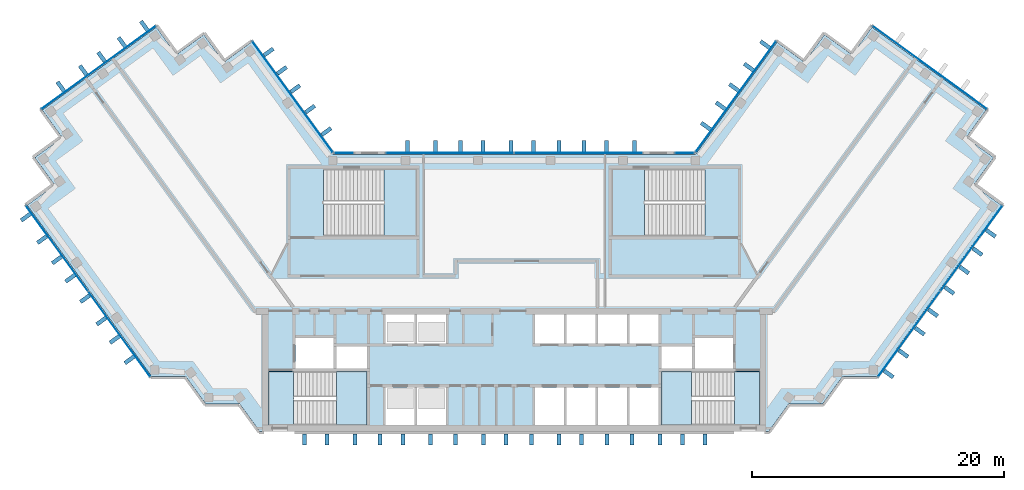
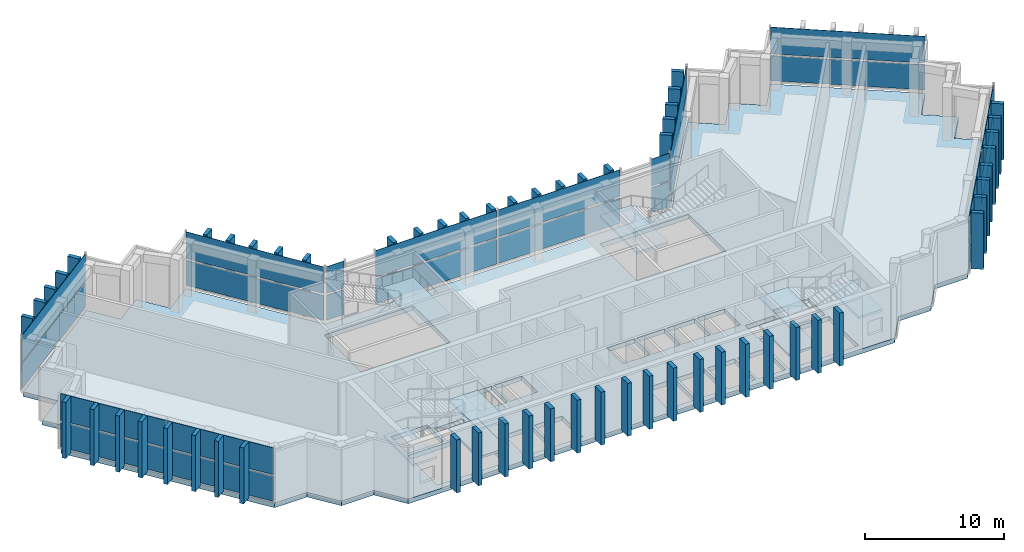
# One storey, part 6 of 14: 82 plates, 9 slabs, 13 elements without a shape of their own.
"""IFC4 building model written with IfcOpenShell, lengths in metres."""

from ifc_helpers import new_model, si_unit, direction, frame, origin, origin_2d, place, context, subcontext, project, spatial, polyline, rectangle, outline, extrude, material, layer, layer_set, type_object, element, aggregate, save


model = new_model("IFC4")

# Units and contexts
model_context = context("Model", 3, precision=1e-05, world=origin(), true_north=direction((0.0, 1.0)))
body_context = subcontext(model_context, "Body", "Model", "MODEL_VIEW")
ifc_project = project(units=[si_unit("LENGTHUNIT", "METRE"), si_unit("AREAUNIT", "SQUARE_METRE"), si_unit("VOLUMEUNIT", "CUBIC_METRE"), si_unit("PLANEANGLEUNIT", "RADIAN"), si_unit("MASSUNIT", "GRAM", prefix="KILO")], contexts=[model_context])

# Site, building, storey
site_placement = place(None, origin())
site = spatial("IfcSite", under=ifc_project, at=site_placement, CompositionType="ELEMENT")
building_placement = place(site_placement, origin())
building = spatial("IfcBuilding", under=site, at=building_placement, Name="Quipu Civic Tower", CompositionType="ELEMENT")
storey_placement = place(building_placement, frame((0.0, 0.0, 248.0)))
storey = spatial("IfcBuildingStorey", under=building, at=storey_placement, Name="L58", CompositionType="ELEMENT", Elevation=248.0)

# Slab
ifc_material_1 = material(Name="Concrete C40/50", Category="concrete")
ifc_layer_1 = layer(ifc_material_1, 0.39990234375)
ifc_layer_set_1 = layer_set([ifc_layer_1], Name="Concrete C40/50")
slab_type_1 = type_object("IfcSlabType", Name="Floor slab 400 C40/50", PredefinedType="FLOOR", material=ifc_layer_set_1)
slab_1_placement = place(storey_placement, frame((0.0, 0.0, -0.39990234375)))
element("IfcSlab", 1, at=slab_1_placement, inside=storey, type_object=slab_type_1, Name="Floor slab L58", PredefinedType="FLOOR", context=body_context, shape_type="SweptSolid", body=[
    extrude(outline(polyline([(20.860107421875, 19.89501953125), (23.0400390625, 18.31005859375), (24.6298828125, 20.4951171875), (26.81494140625, 18.905029296875), (28.39990234375, 21.090087890625), (37.4599609375, 14.5048828125), (35.875, 12.320068359375), (38.06005859375, 10.735107421875), (36.469970703125, 8.550048828125), (38.655029296875, 6.965087890625), (28.780029296875, -6.6298828125), (26.080078125, -6.6298828125), (24.489990234375, -8.81494140625), (21.7900390625, -8.81494140625), (20.205078125, -11.0), (-20.205078125, -11.0), (-21.7900390625, -8.81494140625), (-24.489990234375, -8.81494140625), (-26.080078125, -6.6298828125), (-28.780029296875, -6.6298828125), (-38.655029296875, 6.965087890625), (-36.469970703125, 8.550048828125), (-38.06005859375, 10.735107421875), (-35.875, 12.320068359375), (-37.4599609375, 14.5048828125), (-28.39990234375, 21.090087890625), (-26.81494140625, 18.905029296875), (-24.6298828125, 20.4951171875), (-23.0400390625, 18.31005859375), (-20.860107421875, 19.89501953125), (-14.39501953125, 11.0), (14.39501953125, 11.0), (20.860107421875, 19.89501953125)]), holes=[polyline([(-10.199951171875, -7.5), (-10.199951171875, -10.5), (-7.89990234375, -10.5), (-7.89990234375, -7.5), (-10.199951171875, -7.5)]), polyline([(-7.699951171875, -7.5), (-7.699951171875, -10.5), (-5.39990234375, -10.5), (-5.39990234375, -7.5), (-7.699951171875, -7.5)]), polyline([(1.64990234375, -7.5), (1.64990234375, -10.5), (3.949951171875, -10.5), (3.949951171875, -7.5), (1.64990234375, -7.5)]), polyline([(-11.705078125, -10.4951171875), (-11.705078125, -6.2548828125), (-17.4951171875, -6.2548828125), (-17.4951171875, -10.4951171875), (-11.705078125, -10.4951171875)]), polyline([(-11.699951171875, -4.25), (-14.10009765625, -4.25), (-14.10009765625, -6.0), (-11.699951171875, -6.0), (-11.699951171875, -4.25)]), polyline([(-17.35009765625, -3.60009765625), (-17.35009765625, -6.0), (-14.35009765625, -6.0), (-14.35009765625, -3.60009765625), (-17.35009765625, -3.60009765625)]), polyline([(-10.199951171875, -1.699951171875), (-10.199951171875, -4.0), (-7.89990234375, -4.0), (-7.89990234375, -1.699951171875), (-10.199951171875, -1.699951171875)]), polyline([(-7.699951171875, -1.699951171875), (-7.699951171875, -4.0), (-5.39990234375, -4.0), (-5.39990234375, -1.699951171875), (-7.699951171875, -1.699951171875)]), polyline([(3.949951171875, -1.699951171875), (1.64990234375, -1.699951171875), (1.64990234375, -4.0), (3.949951171875, -4.0), (3.949951171875, -1.699951171875)]), polyline([(-7.7548828125, 4.5048828125), (-7.7548828125, 9.844970703125), (-15.14501953125, 9.844970703125), (-15.14501953125, 4.5048828125), (-7.7548828125, 4.5048828125)]), polyline([(4.14990234375, -7.5), (4.14990234375, -10.5), (6.449951171875, -10.5), (6.449951171875, -7.5), (4.14990234375, -7.5)]), polyline([(6.64990234375, -7.5), (6.64990234375, -10.5), (8.949951171875, -10.5), (8.949951171875, -7.5), (6.64990234375, -7.5)]), polyline([(9.14990234375, -7.5), (9.14990234375, -10.5), (11.449951171875, -10.5), (11.449951171875, -7.5), (9.14990234375, -7.5)]), polyline([(11.705078125, -6.2548828125), (11.705078125, -10.4951171875), (17.4951171875, -10.4951171875), (17.4951171875, -6.2548828125), (11.705078125, -6.2548828125)]), polyline([(14.10009765625, -4.25), (11.699951171875, -4.25), (11.699951171875, -6.0), (14.10009765625, -6.0), (14.10009765625, -4.25)]), polyline([(14.35009765625, -3.60009765625), (14.35009765625, -6.0), (17.35009765625, -6.0), (17.35009765625, -3.60009765625), (14.35009765625, -3.60009765625)]), polyline([(4.14990234375, -1.699951171875), (4.14990234375, -4.0), (6.449951171875, -4.0), (6.449951171875, -1.699951171875), (4.14990234375, -1.699951171875)]), polyline([(6.64990234375, -1.699951171875), (6.64990234375, -4.0), (8.949951171875, -4.0), (8.949951171875, -1.699951171875), (6.64990234375, -1.699951171875)]), polyline([(11.449951171875, -1.699951171875), (9.14990234375, -1.699951171875), (9.14990234375, -4.0), (11.449951171875, -4.0), (11.449951171875, -1.699951171875)]), polyline([(7.7548828125, 9.844970703125), (7.7548828125, 4.5048828125), (15.14501953125, 4.5048828125), (15.14501953125, 9.844970703125), (7.7548828125, 9.844970703125)])]), origin(), (0.0, 0.0, 1.0), 0.39990234375),
])

# Curtain wall, plates
ifc_material_2 = material(Name="Insulated glass unit", Category="glass")
curtain_wall_type = type_object("IfcCurtainWallType", Name="Sky lobby and refuge curtain wall CW5", PredefinedType="NOTDEFINED", material=ifc_material_2)
curtain_wall_1_placement = place(storey_placement, origin())
curtain_wall_1 = element("IfcCurtainWall", 2, at=curtain_wall_1_placement, inside=storey, type_object=curtain_wall_type, Name="Sky lobby and refuge curtain wall CW5 L58 run 1", PredefinedType="NOTDEFINED")
ifc_material_3 = material(Name="Insulated glass unit", Category="glass")
ifc_layer_2 = layer(ifc_material_3, 0.035888671875)
ifc_layer_set_2 = layer_set([ifc_layer_2], Name="Insulated glass unit")
plate_type_1 = type_object("IfcPlateType", Name="Glass panel CW5", PredefinedType="CURTAIN_PANEL", material=ifc_layer_set_2)
plate_1_placement = place(storey_placement, frame((-17.590087890625, 15.5673828125, 0.22509765625), z_axis=(0.0, 0.0, 1.0), x_axis=(-0.587787771652, 0.809015163947, 0.0)))
plate_1 = element("IfcPlate", 3, at=plate_1_placement, type_object=plate_type_1, Name="CW5 panel 1.1", PredefinedType="CURTAIN_PANEL", context=body_context, shape_type="SweptSolid", body=[
    extrude(rectangle(XDim=10.82421875, YDim=0.035888671875, at=origin_2d()), origin(), (0.0, 0.0, 1.0), 2.199951171875),
])
plate_2_placement = place(storey_placement, frame((-17.590087890625, 15.5673828125, 2.574951171875), z_axis=(0.0, 0.0, 1.0), x_axis=(-0.587787771652, 0.809015163947, 0.0)))
plate_2 = element("IfcPlate", 4, at=plate_2_placement, type_object=plate_type_1, Name="CW5 panel 1.2", PredefinedType="CURTAIN_PANEL", context=body_context, shape_type="SweptSolid", body=[
    extrude(rectangle(XDim=10.82421875, YDim=0.035888671875, at=origin_2d()), origin(), (0.0, 0.0, 1.0), 2.35009765625),
])
aggregate(curtain_wall_1, [plate_1, plate_2])

curtain_wall_2_placement = place(storey_placement, origin())
curtain_wall_2 = element("IfcCurtainWall", 5, at=curtain_wall_2_placement, inside=storey, type_object=curtain_wall_type, Name="Sky lobby and refuge curtain wall CW5 L58 run 6", PredefinedType="NOTDEFINED")
plate_3_placement = place(storey_placement, frame((-32.989990234375, 17.87939453125, 0.22509765625), z_axis=(0.0, 0.0, 1.0), x_axis=(-0.809015176832, -0.587787753918, 0.0)))
plate_3 = element("IfcPlate", 6, at=plate_3_placement, type_object=plate_type_1, Name="CW5 panel 1.1", PredefinedType="CURTAIN_PANEL", context=body_context, shape_type="SweptSolid", body=[
    extrude(rectangle(XDim=11.179931640625, YDim=0.035888671875, at=origin_2d()), origin(), (0.0, 0.0, 1.0), 2.199951171875),
])
plate_4_placement = place(storey_placement, frame((-32.989990234375, 17.87939453125, 2.574951171875), z_axis=(0.0, 0.0, 1.0), x_axis=(-0.809015176832, -0.587787753918, 0.0)))
plate_4 = element("IfcPlate", 7, at=plate_4_placement, type_object=plate_type_1, Name="CW5 panel 1.2", PredefinedType="CURTAIN_PANEL", context=body_context, shape_type="SweptSolid", body=[
    extrude(rectangle(XDim=11.179931640625, YDim=0.035888671875, at=origin_2d()), origin(), (0.0, 0.0, 1.0), 2.35009765625),
])
aggregate(curtain_wall_2, [plate_3, plate_4])

curtain_wall_3_placement = place(storey_placement, origin())
curtain_wall_3 = element("IfcCurtainWall", 8, at=curtain_wall_3_placement, inside=storey, type_object=curtain_wall_type, Name="Sky lobby and refuge curtain wall CW5 L58 run 11", PredefinedType="NOTDEFINED")
plate_5_placement = place(storey_placement, frame((-36.288330078125, 3.534423828125, 0.22509765625), z_axis=(0.0, 0.0, 1.0), x_axis=(0.587786237643, -0.809016278475, 0.0)))
plate_5 = element("IfcPlate", 9, at=plate_5_placement, type_object=plate_type_1, Name="CW5 panel 1.1", PredefinedType="CURTAIN_PANEL", context=body_context, shape_type="SweptSolid", body=[
    extrude(rectangle(XDim=8.312744140625, YDim=0.035888671875, at=origin_2d()), origin(), (0.0, 0.0, 1.0), 2.199951171875),
])
plate_6_placement = place(storey_placement, frame((-36.288330078125, 3.534423828125, 2.574951171875), z_axis=(0.0, 0.0, 1.0), x_axis=(0.587786237643, -0.809016278475, 0.0)))
plate_6 = element("IfcPlate", 10, at=plate_6_placement, type_object=plate_type_1, Name="CW5 panel 1.2", PredefinedType="CURTAIN_PANEL", context=body_context, shape_type="SweptSolid", body=[
    extrude(rectangle(XDim=8.312744140625, YDim=0.035888671875, at=origin_2d()), origin(), (0.0, 0.0, 1.0), 2.35009765625),
])
plate_7_placement = place(storey_placement, frame((-31.337646484375, -3.27978515625, 0.22509765625), z_axis=(0.0, 0.0, 1.0), x_axis=(0.587786237643, -0.809016278475, 0.0)))
plate_7 = element("IfcPlate", 11, at=plate_7_placement, type_object=plate_type_1, Name="CW5 panel 2.1", PredefinedType="CURTAIN_PANEL", context=body_context, shape_type="SweptSolid", body=[
    extrude(rectangle(XDim=8.312744140625, YDim=0.035888671875, at=origin_2d()), origin(), (0.0, 0.0, 1.0), 2.199951171875),
])
plate_8_placement = place(storey_placement, frame((-31.337646484375, -3.27978515625, 2.574951171875), z_axis=(0.0, 0.0, 1.0), x_axis=(0.587786237643, -0.809016278475, 0.0)))
plate_8 = element("IfcPlate", 12, at=plate_8_placement, type_object=plate_type_1, Name="CW5 panel 2.2", PredefinedType="CURTAIN_PANEL", context=body_context, shape_type="SweptSolid", body=[
    extrude(rectangle(XDim=8.312744140625, YDim=0.035888671875, at=origin_2d()), origin(), (0.0, 0.0, 1.0), 2.35009765625),
])
aggregate(curtain_wall_3, [plate_5, plate_6, plate_7, plate_8])

curtain_wall_4_placement = place(storey_placement, origin())
curtain_wall_4 = element("IfcCurtainWall", 13, at=curtain_wall_4_placement, inside=storey, type_object=curtain_wall_type, Name="Sky lobby and refuge curtain wall CW5 L58 run 23", PredefinedType="NOTDEFINED")
plate_9_placement = place(storey_placement, frame((31.337646484375, -3.27978515625, 0.22509765625), z_axis=(0.0, 0.0, 1.0), x_axis=(0.587786237643, 0.809016278475, 0.0)))
plate_9 = element("IfcPlate", 14, at=plate_9_placement, type_object=plate_type_1, Name="CW5 panel 1.1", PredefinedType="CURTAIN_PANEL", context=body_context, shape_type="SweptSolid", body=[
    extrude(rectangle(XDim=8.312744140625, YDim=0.035888671875, at=origin_2d()), origin(), (0.0, 0.0, 1.0), 2.199951171875),
])
plate_10_placement = place(storey_placement, frame((31.337646484375, -3.27978515625, 2.574951171875), z_axis=(0.0, 0.0, 1.0), x_axis=(0.587786237643, 0.809016278475, 0.0)))
plate_10 = element("IfcPlate", 15, at=plate_10_placement, type_object=plate_type_1, Name="CW5 panel 1.2", PredefinedType="CURTAIN_PANEL", context=body_context, shape_type="SweptSolid", body=[
    extrude(rectangle(XDim=8.312744140625, YDim=0.035888671875, at=origin_2d()), origin(), (0.0, 0.0, 1.0), 2.35009765625),
])
plate_11_placement = place(storey_placement, frame((36.288330078125, 3.534423828125, 0.22509765625), z_axis=(0.0, 0.0, 1.0), x_axis=(0.587786237643, 0.809016278475, 0.0)))
plate_11 = element("IfcPlate", 16, at=plate_11_placement, type_object=plate_type_1, Name="CW5 panel 2.1", PredefinedType="CURTAIN_PANEL", context=body_context, shape_type="SweptSolid", body=[
    extrude(rectangle(XDim=8.312744140625, YDim=0.035888671875, at=origin_2d()), origin(), (0.0, 0.0, 1.0), 2.199951171875),
])
plate_12_placement = place(storey_placement, frame((36.288330078125, 3.534423828125, 2.574951171875), z_axis=(0.0, 0.0, 1.0), x_axis=(0.587786237643, 0.809016278475, 0.0)))
plate_12 = element("IfcPlate", 17, at=plate_12_placement, type_object=plate_type_1, Name="CW5 panel 2.2", PredefinedType="CURTAIN_PANEL", context=body_context, shape_type="SweptSolid", body=[
    extrude(rectangle(XDim=8.312744140625, YDim=0.035888671875, at=origin_2d()), origin(), (0.0, 0.0, 1.0), 2.35009765625),
])
aggregate(curtain_wall_4, [plate_9, plate_10, plate_11, plate_12])

curtain_wall_5_placement = place(storey_placement, origin())
curtain_wall_5 = element("IfcCurtainWall", 18, at=curtain_wall_5_placement, inside=storey, type_object=curtain_wall_type, Name="Sky lobby and refuge curtain wall CW5 L58 run 28", PredefinedType="NOTDEFINED")
plate_13_placement = place(storey_placement, frame((32.989990234375, 17.87939453125, 0.22509765625), z_axis=(0.0, 0.0, 1.0), x_axis=(-0.809015176832, 0.587787753918, 0.0)))
plate_13 = element("IfcPlate", 19, at=plate_13_placement, type_object=plate_type_1, Name="CW5 panel 1.1", PredefinedType="CURTAIN_PANEL", context=body_context, shape_type="SweptSolid", body=[
    extrude(rectangle(XDim=11.179931640625, YDim=0.035888671875, at=origin_2d()), origin(), (0.0, 0.0, 1.0), 2.199951171875),
])
plate_14_placement = place(storey_placement, frame((32.989990234375, 17.87939453125, 2.574951171875), z_axis=(0.0, 0.0, 1.0), x_axis=(-0.809015176832, 0.587787753918, 0.0)))
plate_14 = element("IfcPlate", 20, at=plate_14_placement, type_object=plate_type_1, Name="CW5 panel 1.2", PredefinedType="CURTAIN_PANEL", context=body_context, shape_type="SweptSolid", body=[
    extrude(rectangle(XDim=11.179931640625, YDim=0.035888671875, at=origin_2d()), origin(), (0.0, 0.0, 1.0), 2.35009765625),
])
aggregate(curtain_wall_5, [plate_13, plate_14])

curtain_wall_6_placement = place(storey_placement, origin())
curtain_wall_6 = element("IfcCurtainWall", 21, at=curtain_wall_6_placement, inside=storey, type_object=curtain_wall_type, Name="Sky lobby and refuge curtain wall CW5 L58 run 33", PredefinedType="NOTDEFINED")
plate_15_placement = place(storey_placement, frame((17.590087890625, 15.5673828125, 0.22509765625), z_axis=(0.0, 0.0, 1.0), x_axis=(-0.587787771652, -0.809015163947, 0.0)))
plate_15 = element("IfcPlate", 22, at=plate_15_placement, type_object=plate_type_1, Name="CW5 panel 1.1", PredefinedType="CURTAIN_PANEL", context=body_context, shape_type="SweptSolid", body=[
    extrude(rectangle(XDim=10.82421875, YDim=0.035888671875, at=origin_2d()), origin(), (0.0, 0.0, 1.0), 2.199951171875),
])
plate_16_placement = place(storey_placement, frame((17.590087890625, 15.5673828125, 2.574951171875), z_axis=(0.0, 0.0, 1.0), x_axis=(-0.587787771652, -0.809015163947, 0.0)))
plate_16 = element("IfcPlate", 23, at=plate_16_placement, type_object=plate_type_1, Name="CW5 panel 1.2", PredefinedType="CURTAIN_PANEL", context=body_context, shape_type="SweptSolid", body=[
    extrude(rectangle(XDim=10.82421875, YDim=0.035888671875, at=origin_2d()), origin(), (0.0, 0.0, 1.0), 2.35009765625),
])
aggregate(curtain_wall_6, [plate_15, plate_16])

curtain_wall_7_placement = place(storey_placement, origin())
curtain_wall_7 = element("IfcCurtainWall", 24, at=curtain_wall_7_placement, inside=storey, type_object=curtain_wall_type, Name="Sky lobby and refuge curtain wall CW5 L58 run 34", PredefinedType="NOTDEFINED")
plate_17_placement = place(storey_placement, frame((13.49951171875, 11.10009765625, 0.22509765625), z_axis=(0.0, 0.0, 1.0), x_axis=(-1.0, 0.0, 0.0)))
plate_17 = element("IfcPlate", 25, at=plate_17_placement, type_object=plate_type_1, Name="CW5 panel 1.1", PredefinedType="CURTAIN_PANEL", context=body_context, shape_type="SweptSolid", body=[
    extrude(rectangle(XDim=1.46923828125, YDim=0.035888671875, at=origin_2d()), origin(), (0.0, 0.0, 1.0), 2.199951171875),
])
plate_18_placement = place(storey_placement, frame((13.49951171875, 11.10009765625, 2.574951171875), z_axis=(0.0, 0.0, 1.0), x_axis=(-1.0, 0.0, 0.0)))
plate_18 = element("IfcPlate", 26, at=plate_18_placement, type_object=plate_type_1, Name="CW5 panel 1.2", PredefinedType="CURTAIN_PANEL", context=body_context, shape_type="SweptSolid", body=[
    extrude(rectangle(XDim=1.46923828125, YDim=0.035888671875, at=origin_2d()), origin(), (0.0, 0.0, 1.0), 2.35009765625),
])
aggregate(curtain_wall_7, [plate_17, plate_18])

curtain_wall_8_placement = place(storey_placement, origin())
curtain_wall_8 = element("IfcCurtainWall", 27, at=curtain_wall_8_placement, inside=storey, type_object=curtain_wall_type, Name="Sky lobby and refuge curtain wall CW5 L58 run 36", PredefinedType="NOTDEFINED")
plate_19_placement = place(storey_placement, frame((5.104248046875, 11.10009765625, 0.22509765625), z_axis=(0.0, 0.0, 1.0), x_axis=(-1.0, 0.0, 0.0)))
plate_19 = element("IfcPlate", 28, at=plate_19_placement, type_object=plate_type_1, Name="CW5 panel 1.1", PredefinedType="CURTAIN_PANEL", context=body_context, shape_type="SweptSolid", body=[
    extrude(rectangle(XDim=10.098388671875, YDim=0.035888671875, at=origin_2d()), origin(), (0.0, 0.0, 1.0), 2.199951171875),
])
plate_20_placement = place(storey_placement, frame((5.104248046875, 11.10009765625, 2.574951171875), z_axis=(0.0, 0.0, 1.0), x_axis=(-1.0, 0.0, 0.0)))
plate_20 = element("IfcPlate", 29, at=plate_20_placement, type_object=plate_type_1, Name="CW5 panel 1.2", PredefinedType="CURTAIN_PANEL", context=body_context, shape_type="SweptSolid", body=[
    extrude(rectangle(XDim=10.098388671875, YDim=0.035888671875, at=origin_2d()), origin(), (0.0, 0.0, 1.0), 2.35009765625),
])
plate_21_placement = place(storey_placement, frame((-5.104248046875, 11.10009765625, 0.22509765625), z_axis=(0.0, 0.0, 1.0), x_axis=(-1.0, 0.0, 0.0)))
plate_21 = element("IfcPlate", 30, at=plate_21_placement, type_object=plate_type_1, Name="CW5 panel 2.1", PredefinedType="CURTAIN_PANEL", context=body_context, shape_type="SweptSolid", body=[
    extrude(rectangle(XDim=10.098388671875, YDim=0.035888671875, at=origin_2d()), origin(), (0.0, 0.0, 1.0), 2.199951171875),
])
plate_22_placement = place(storey_placement, frame((-5.104248046875, 11.10009765625, 2.574951171875), z_axis=(0.0, 0.0, 1.0), x_axis=(-1.0, 0.0, 0.0)))
plate_22 = element("IfcPlate", 31, at=plate_22_placement, type_object=plate_type_1, Name="CW5 panel 2.2", PredefinedType="CURTAIN_PANEL", context=body_context, shape_type="SweptSolid", body=[
    extrude(rectangle(XDim=10.098388671875, YDim=0.035888671875, at=origin_2d()), origin(), (0.0, 0.0, 1.0), 2.35009765625),
])
aggregate(curtain_wall_8, [plate_19, plate_20, plate_21, plate_22])

curtain_wall_9_placement = place(storey_placement, origin())
curtain_wall_9 = element("IfcCurtainWall", 32, at=curtain_wall_9_placement, inside=storey, type_object=curtain_wall_type, Name="Sky lobby and refuge curtain wall CW5 L58 run 38", PredefinedType="NOTDEFINED")
plate_23_placement = place(storey_placement, frame((-13.49951171875, 11.10009765625, 0.22509765625), z_axis=(0.0, 0.0, 1.0), x_axis=(-1.0, 0.0, 0.0)))
plate_23 = element("IfcPlate", 33, at=plate_23_placement, type_object=plate_type_1, Name="CW5 panel 1.1", PredefinedType="CURTAIN_PANEL", context=body_context, shape_type="SweptSolid", body=[
    extrude(rectangle(XDim=1.46923828125, YDim=0.035888671875, at=origin_2d()), origin(), (0.0, 0.0, 1.0), 2.199951171875),
])
plate_24_placement = place(storey_placement, frame((-13.49951171875, 11.10009765625, 2.574951171875), z_axis=(0.0, 0.0, 1.0), x_axis=(-1.0, 0.0, 0.0)))
plate_24 = element("IfcPlate", 34, at=plate_24_placement, type_object=plate_type_1, Name="CW5 panel 1.2", PredefinedType="CURTAIN_PANEL", context=body_context, shape_type="SweptSolid", body=[
    extrude(rectangle(XDim=1.46923828125, YDim=0.035888671875, at=origin_2d()), origin(), (0.0, 0.0, 1.0), 2.35009765625),
])
aggregate(curtain_wall_9, [plate_23, plate_24])

# Plates
ifc_material_4 = material(Name="Precast concrete C40/50", Category="concrete")
plate_type_2 = type_object("IfcPlateType", Name="Precast fin F3", PredefinedType="SHEET", material=ifc_material_4)
for number, where, z_axis, x_axis, name in (
    (35, (-14.90380859375, 12.805908203125, 0.0751953125), (0.0, 0.0, 1.0), (-0.58778443384, 0.809017589015, 0.0), "Precast fin F3 L58.1.1"),
    (36, (-16.197021484375, 14.585693359375, 0.0751953125), (0.0, 0.0, 1.0), (-0.58778443384, 0.809017589015, 0.0), "Precast fin F3 L58.1.2"),
    (37, (-17.37255859375, 16.203857421875, 0.0751953125), (0.0, 0.0, 1.0), (-0.58778443384, 0.809017589015, 0.0), "Precast fin F3 L58.1.3"),
    (38, (-18.4306640625, 17.66015625, 0.0751953125), (0.0, 0.0, 1.0), (-0.58778443384, 0.809017589015, 0.0), "Precast fin F3 L58.1.4"),
    (39, (-19.488525390625, 19.1162109375, 0.0751953125), (0.0, 0.0, 1.0), (-0.58778443384, 0.809017589015, 0.0), "Precast fin F3 L58.1.5"),
    (40, (-29.357177734375, 21.198486328125, 0.0751953125), (0.0, 0.0, 1.0), (-0.809017072762, -0.587785144401, 0.0), "Precast fin F3 L58.6.1"),
    (41, (-31.13720703125, 19.905517578125, 0.0751953125), (0.0, 0.0, 1.0), (-0.809017072762, -0.587785144401, 0.0), "Precast fin F3 L58.6.2"),
    (42, (-32.755126953125, 18.729736328125, 0.0751953125), (0.0, 0.0, 1.0), (-0.809017072762, -0.587785144401, 0.0), "Precast fin F3 L58.6.3"),
    (43, (-34.21142578125, 17.671875, 0.0751953125), (0.0, 0.0, 1.0), (-0.809017072762, -0.587785144401, 0.0), "Precast fin F3 L58.6.4"),
    (44, (-35.9912109375, 16.378662109375, 0.0751953125), (0.0, 0.0, 1.0), (-0.809017072762, -0.587785144401, 0.0), "Precast fin F3 L58.6.5"),
    (45, (-38.764892578125, 6.007568359375, 0.0751953125), (0.0, 0.0, 1.0), (0.587786668783, -0.809015965233, 0.0), "Precast fin F3 L58.11.1"),
    (46, (-37.4716796875, 4.227783203125, 0.0751953125), (0.0, 0.0, 1.0), (0.587786668783, -0.809015965233, 0.0), "Precast fin F3 L58.11.2"),
    (47, (-36.296142578125, 2.609619140625, 0.0751953125), (0.0, 0.0, 1.0), (0.587786668783, -0.809015965233, 0.0), "Precast fin F3 L58.11.3"),
    (48, (-35.23828125, 1.1533203125, 0.0751953125), (0.0, 0.0, 1.0), (0.587786668783, -0.809015965233, 0.0), "Precast fin F3 L58.11.4"),
    (49, (-34.062744140625, -0.464599609375, 0.0751953125), (0.0, 0.0, 1.0), (0.587786668783, -0.809015965233, 0.0), "Precast fin F3 L58.11.5"),
    (50, (-32.76953125, -2.244384765625, 0.0751953125), (0.0, 0.0, 1.0), (0.587786668783, -0.809015965233, 0.0), "Precast fin F3 L58.11.6"),
    (51, (-31.71142578125, -3.70068359375, 0.0751953125), (0.0, 0.0, 1.0), (0.587786668783, -0.809015965233, 0.0), "Precast fin F3 L58.11.7"),
    (52, (-30.535888671875, -5.318603515625, 0.0751953125), (0.0, 0.0, 1.0), (0.587786668783, -0.809015965233, 0.0), "Precast fin F3 L58.11.8"),
):
    element("IfcPlate", number, at=place(storey_placement, frame(where, z_axis=z_axis, x_axis=x_axis)), inside=storey, type_object=plate_type_2, Name=name, PredefinedType="SHEET", context=body_context, shape_type="SweptSolid", body=[
        extrude(rectangle(XDim=0.320068359375, YDim=0.89990234375, at=origin_2d()), origin(), (0.0, 0.0, 1.0), 4.925048828125),
    ])
for number, where, z_axis, x_axis, name in (
    (53, (-16.639892578125, -11.637939453125, 0.0), (0.0, 0.0, 1.0), (1.0, 0.0, 0.0), "Precast fin F3 L58.17.1"),
    (54, (-14.840087890625, -11.637939453125, 0.0), (0.0, 0.0, 1.0), (1.0, 0.0, 0.0), "Precast fin F3 L58.17.2"),
    (55, (-12.639892578125, -11.637939453125, 0.0), (0.0, 0.0, 1.0), (1.0, 0.0, 0.0), "Precast fin F3 L58.17.3"),
    (56, (-10.639892578125, -11.637939453125, 0.0), (0.0, 0.0, 1.0), (1.0, 0.0, 0.0), "Precast fin F3 L58.17.4"),
    (57, (-8.840087890625, -11.637939453125, 0.0), (0.0, 0.0, 1.0), (1.0, 0.0, 0.0), "Precast fin F3 L58.17.5"),
    (58, (-6.639892578125, -11.637939453125, 0.0), (0.0, 0.0, 1.0), (1.0, 0.0, 0.0), "Precast fin F3 L58.17.6"),
    (59, (-4.639892578125, -11.637939453125, 0.0), (0.0, 0.0, 1.0), (1.0, 0.0, 0.0), "Precast fin F3 L58.17.7"),
    (60, (-2.43994140625, -11.637939453125, 0.0), (0.0, 0.0, 1.0), (1.0, 0.0, 0.0), "Precast fin F3 L58.17.8"),
    (61, (-0.639892578125, -11.637939453125, 0.0), (0.0, 0.0, 1.0), (1.0, 0.0, 0.0), "Precast fin F3 L58.17.9"),
    (62, (1.360107421875, -11.637939453125, 0.0), (0.0, 0.0, 1.0), (1.0, 0.0, 0.0), "Precast fin F3 L58.17.10"),
    (63, (3.56005859375, -11.637939453125, 0.0), (0.0, 0.0, 1.0), (1.0, 0.0, 0.0), "Precast fin F3 L58.17.11"),
    (64, (5.360107421875, -11.637939453125, 0.0), (0.0, 0.0, 1.0), (1.0, 0.0, 0.0), "Precast fin F3 L58.17.12"),
    (65, (7.360107421875, -11.637939453125, 0.0), (0.0, 0.0, 1.0), (1.0, 0.0, 0.0), "Precast fin F3 L58.17.13"),
    (66, (9.360107421875, -11.637939453125, 0.0), (0.0, 0.0, 1.0), (1.0, 0.0, 0.0), "Precast fin F3 L58.17.14"),
    (67, (11.56005859375, -11.637939453125, 0.0), (0.0, 0.0, 1.0), (1.0, 0.0, 0.0), "Precast fin F3 L58.17.15"),
    (68, (13.360107421875, -11.637939453125, 0.0), (0.0, 0.0, 1.0), (1.0, 0.0, 0.0), "Precast fin F3 L58.17.16"),
    (69, (15.159912109375, -11.637939453125, 0.0), (0.0, 0.0, 1.0), (1.0, 0.0, 0.0), "Precast fin F3 L58.17.17"),
):
    element("IfcPlate", number, at=place(storey_placement, frame(where, z_axis=z_axis, x_axis=x_axis)), inside=storey, type_object=plate_type_2, Name=name, PredefinedType="SHEET", context=body_context, shape_type="SweptSolid", body=[
        extrude(rectangle(XDim=0.320068359375, YDim=0.89990234375, at=origin_2d()), origin(), (0.0, 0.0, 1.0), 4.64990234375),
    ])
for number, where, z_axis, x_axis, name in (
    (70, (29.721923828125, -6.43896484375, 0.0751953125), (0.0, 0.0, 1.0), (0.587786668783, 0.809015965233, 0.0), "Precast fin F3 L58.23.1"),
    (71, (30.8974609375, -4.821044921875, 0.0751953125), (0.0, 0.0, 1.0), (0.587786668783, 0.809015965233, 0.0), "Precast fin F3 L58.23.2"),
    (72, (32.190673828125, -3.041015625, 0.0751953125), (0.0, 0.0, 1.0), (0.587786668783, 0.809015965233, 0.0), "Precast fin F3 L58.23.3"),
    (73, (33.248779296875, -1.5849609375, 0.0751953125), (0.0, 0.0, 1.0), (0.587786668783, 0.809015965233, 0.0), "Precast fin F3 L58.23.4"),
    (74, (34.541748046875, 0.195068359375, 0.0751953125), (0.0, 0.0, 1.0), (0.587786668783, 0.809015965233, 0.0), "Precast fin F3 L58.23.5"),
    (75, (35.717529296875, 1.81298828125, 0.0751953125), (0.0, 0.0, 1.0), (0.587786668783, 0.809015965233, 0.0), "Precast fin F3 L58.23.6"),
    (76, (36.775390625, 3.269287109375, 0.0751953125), (0.0, 0.0, 1.0), (0.587786668783, 0.809015965233, 0.0), "Precast fin F3 L58.23.7"),
    (77, (37.83349609375, 4.725341796875, 0.0751953125), (0.0, 0.0, 1.0), (0.587786668783, 0.809015965233, 0.0), "Precast fin F3 L58.23.8"),
    (78, (19.914794921875, 19.702880859375, 0.0751953125), (0.0, 0.0, 1.0), (-0.58778443384, -0.809017589015, 0.0), "Precast fin F3 L58.33.1"),
    (79, (18.62158203125, 17.923095703125, 0.0751953125), (0.0, 0.0, 1.0), (-0.58778443384, -0.809017589015, 0.0), "Precast fin F3 L58.33.2"),
    (80, (17.446044921875, 16.30517578125, 0.0751953125), (0.0, 0.0, 1.0), (-0.58778443384, -0.809017589015, 0.0), "Precast fin F3 L58.33.3"),
    (81, (16.38818359375, 14.848876953125, 0.0751953125), (0.0, 0.0, 1.0), (-0.58778443384, -0.809017589015, 0.0), "Precast fin F3 L58.33.4"),
    (82, (15.212646484375, 13.230712890625, 0.0751953125), (0.0, 0.0, 1.0), (-0.58778443384, -0.809017589015, 0.0), "Precast fin F3 L58.33.5"),
    (83, (9.5400390625, 11.64990234375, 0.0751953125), (0.0, 0.0, 1.0), (-1.0, 0.0, 0.0), "Precast fin F3 L58.36.1"),
    (84, (7.340087890625, 11.64990234375, 0.0751953125), (0.0, 0.0, 1.0), (-1.0, 0.0, 0.0), "Precast fin F3 L58.36.2"),
    (85, (5.5400390625, 11.64990234375, 0.0751953125), (0.0, 0.0, 1.0), (-1.0, 0.0, 0.0), "Precast fin F3 L58.36.3"),
    (86, (3.5400390625, 11.64990234375, 0.0751953125), (0.0, 0.0, 1.0), (-1.0, 0.0, 0.0), "Precast fin F3 L58.36.4"),
    (87, (1.5400390625, 11.64990234375, 0.0751953125), (0.0, 0.0, 1.0), (-1.0, 0.0, 0.0), "Precast fin F3 L58.36.5"),
    (88, (-0.260009765625, 11.64990234375, 0.0751953125), (0.0, 0.0, 1.0), (-1.0, 0.0, 0.0), "Precast fin F3 L58.36.6"),
    (89, (-2.4599609375, 11.64990234375, 0.0751953125), (0.0, 0.0, 1.0), (-1.0, 0.0, 0.0), "Precast fin F3 L58.36.7"),
    (90, (-4.260009765625, 11.64990234375, 0.0751953125), (0.0, 0.0, 1.0), (-1.0, 0.0, 0.0), "Precast fin F3 L58.36.8"),
    (91, (-6.260009765625, 11.64990234375, 0.0751953125), (0.0, 0.0, 1.0), (-1.0, 0.0, 0.0), "Precast fin F3 L58.36.9"),
    (92, (-8.4599609375, 11.64990234375, 0.0751953125), (0.0, 0.0, 1.0), (-1.0, 0.0, 0.0), "Precast fin F3 L58.36.10"),
):
    element("IfcPlate", number, at=place(storey_placement, frame(where, z_axis=z_axis, x_axis=x_axis)), inside=storey, type_object=plate_type_2, Name=name, PredefinedType="SHEET", context=body_context, shape_type="SweptSolid", body=[
        extrude(rectangle(XDim=0.320068359375, YDim=0.89990234375, at=origin_2d()), origin(), (0.0, 0.0, 1.0), 4.925048828125),
    ])

# Stair, slabs
ifc_material_5 = material(Name="Concrete C40/50", Category="concrete")
stair_type_1 = type_object("IfcStairType", Name="Half turn stair 2000", PredefinedType="HALF_TURN_STAIR", material=ifc_material_5)
stair_1_placement = place(storey_placement, origin())
stair_1 = element("IfcStair", 93, at=stair_1_placement, inside=storey, type_object=stair_type_1, Name="Exit stair 1", PredefinedType="HALF_TURN_STAIR")
ifc_material_6 = material(Name="Concrete C40/50", Category="concrete")
ifc_layer_3 = layer(ifc_material_6, 0.199951171875)
ifc_layer_set_3 = layer_set([ifc_layer_3], Name="Concrete C40/50")
slab_type_2 = type_object("IfcSlabType", Name="Stair landing 200", PredefinedType="LANDING", material=ifc_layer_set_3)
slab_2_placement = place(storey_placement, frame((0.0, 0.0, 1.050048828125)))
slab_2 = element("IfcSlab", 94, at=slab_2_placement, type_object=slab_type_2, Name="ST-1 landing 1", PredefinedType="LANDING", context=body_context, shape_type="SweptSolid", body=[
    extrude(outline(polyline([(-14.090087890625, -10.5), (-11.699951171875, -10.5), (-11.699951171875, -6.25), (-14.090087890625, -6.25), (-14.090087890625, -10.5)])), origin(), (0.0, 0.0, 1.0), 0.199951171875),
])
slab_3_placement = place(storey_placement, frame((0.0, 0.0, 2.300048828125)))
slab_3 = element("IfcSlab", 95, at=slab_3_placement, type_object=slab_type_2, Name="ST-1 landing 2", PredefinedType="LANDING", context=body_context, shape_type="SweptSolid", body=[
    extrude(outline(polyline([(-19.5, -10.5), (-17.5, -10.5), (-17.5, -6.25), (-19.5, -6.25), (-19.5, -10.5)])), origin(), (0.0, 0.0, 1.0), 0.199951171875),
])
slab_4_placement = place(storey_placement, frame((0.0, 0.0, 3.550048828125)))
slab_4 = element("IfcSlab", 96, at=slab_4_placement, type_object=slab_type_2, Name="ST-1 landing 3", PredefinedType="LANDING", context=body_context, shape_type="SweptSolid", body=[
    extrude(outline(polyline([(-14.090087890625, -10.5), (-11.699951171875, -10.5), (-11.699951171875, -6.25), (-14.090087890625, -6.25), (-14.090087890625, -10.5)])), origin(), (0.0, 0.0, 1.0), 0.199951171875),
])
aggregate(stair_1, [slab_2, slab_3, slab_4])

stair_2_placement = place(storey_placement, origin())
stair_2 = element("IfcStair", 97, at=stair_2_placement, inside=storey, type_object=stair_type_1, Name="Exit stair 2", PredefinedType="HALF_TURN_STAIR")
slab_5_placement = place(storey_placement, frame((0.0, 0.0, 1.050048828125)))
slab_5 = element("IfcSlab", 98, at=slab_5_placement, type_object=slab_type_2, Name="ST-2 landing 1", PredefinedType="LANDING", context=body_context, shape_type="SweptSolid", body=[
    extrude(outline(polyline([(14.090087890625, -6.25), (11.699951171875, -6.25), (11.699951171875, -10.5), (14.090087890625, -10.5), (14.090087890625, -6.25)])), origin(), (0.0, 0.0, 1.0), 0.199951171875),
])
slab_6_placement = place(storey_placement, frame((0.0, 0.0, 2.300048828125)))
slab_6 = element("IfcSlab", 99, at=slab_6_placement, type_object=slab_type_2, Name="ST-2 landing 2", PredefinedType="LANDING", context=body_context, shape_type="SweptSolid", body=[
    extrude(outline(polyline([(19.5, -6.25), (17.5, -6.25), (17.5, -10.5), (19.5, -10.5), (19.5, -6.25)])), origin(), (0.0, 0.0, 1.0), 0.199951171875),
])
slab_7_placement = place(storey_placement, frame((0.0, 0.0, 3.550048828125)))
slab_7 = element("IfcSlab", 100, at=slab_7_placement, type_object=slab_type_2, Name="ST-2 landing 3", PredefinedType="LANDING", context=body_context, shape_type="SweptSolid", body=[
    extrude(outline(polyline([(14.090087890625, -6.25), (11.699951171875, -6.25), (11.699951171875, -10.5), (14.090087890625, -10.5), (14.090087890625, -6.25)])), origin(), (0.0, 0.0, 1.0), 0.199951171875),
])
aggregate(stair_2, [slab_5, slab_6, slab_7])

# Stair, slab
ifc_material_7 = material(Name="Concrete C40/50", Category="concrete")
stair_type_2 = type_object("IfcStairType", Name="Half turn stair 2600", PredefinedType="HALF_TURN_STAIR", material=ifc_material_7)
stair_3_placement = place(storey_placement, origin())
stair_3 = element("IfcStair", 101, at=stair_3_placement, inside=storey, type_object=stair_type_2, Name="Exit stair 3", PredefinedType="HALF_TURN_STAIR")
slab_8_placement = place(storey_placement, frame((0.0, 0.0, 2.300048828125)))
slab_8 = element("IfcSlab", 102, at=slab_8_placement, type_object=slab_type_2, Name="ST-3 landing 1", PredefinedType="LANDING", context=body_context, shape_type="SweptSolid", body=[
    extrude(outline(polyline([(-10.35009765625, 4.5), (-7.75, 4.5), (-7.75, 9.85009765625), (-10.35009765625, 9.85009765625), (-10.35009765625, 4.5)])), origin(), (0.0, 0.0, 1.0), 0.199951171875),
])
aggregate(stair_3, [slab_8])

stair_4_placement = place(storey_placement, origin())
stair_4 = element("IfcStair", 103, at=stair_4_placement, inside=storey, type_object=stair_type_2, Name="Exit stair 4", PredefinedType="HALF_TURN_STAIR")
slab_9_placement = place(storey_placement, frame((0.0, 0.0, 2.300048828125)))
slab_9 = element("IfcSlab", 104, at=slab_9_placement, type_object=slab_type_2, Name="ST-4 landing 1", PredefinedType="LANDING", context=body_context, shape_type="SweptSolid", body=[
    extrude(outline(polyline([(10.35009765625, 9.85009765625), (7.75, 9.85009765625), (7.75, 4.5), (10.35009765625, 4.5), (10.35009765625, 9.85009765625)])), origin(), (0.0, 0.0, 1.0), 0.199951171875),
])
aggregate(stair_4, [slab_9])

save(model, "model.ifc")
